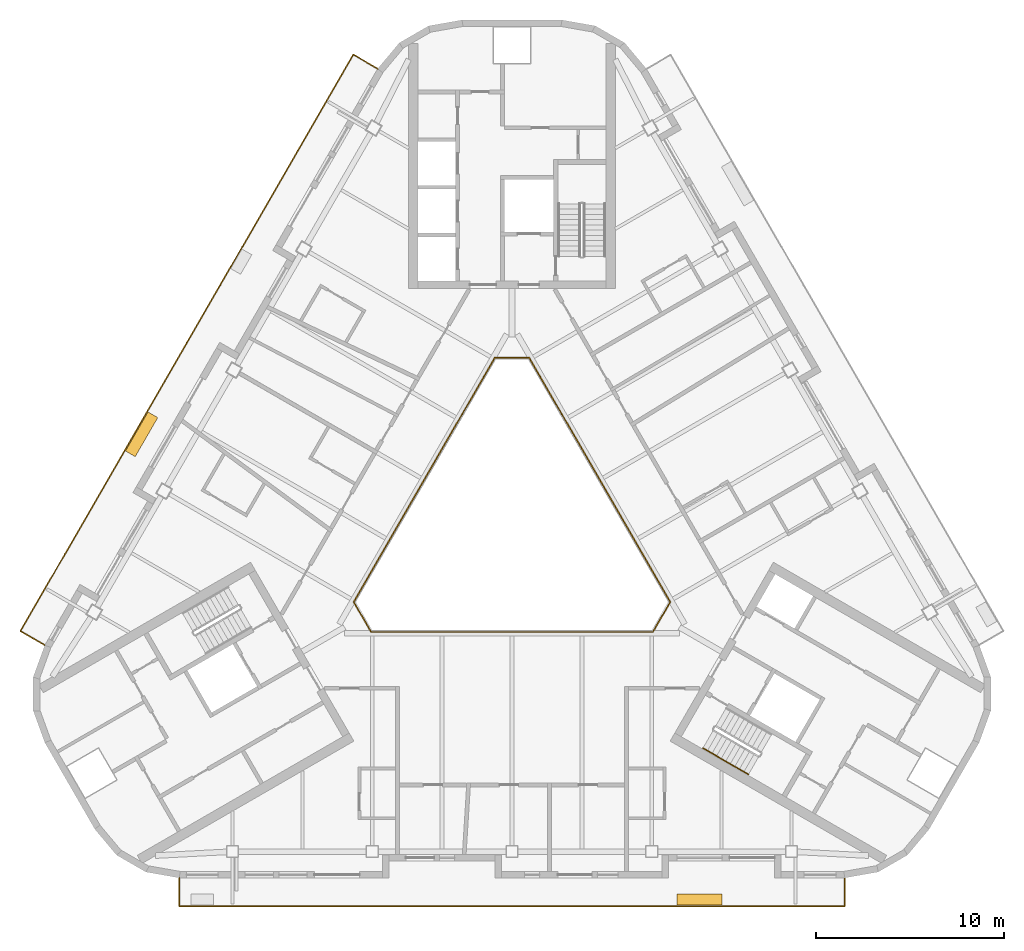
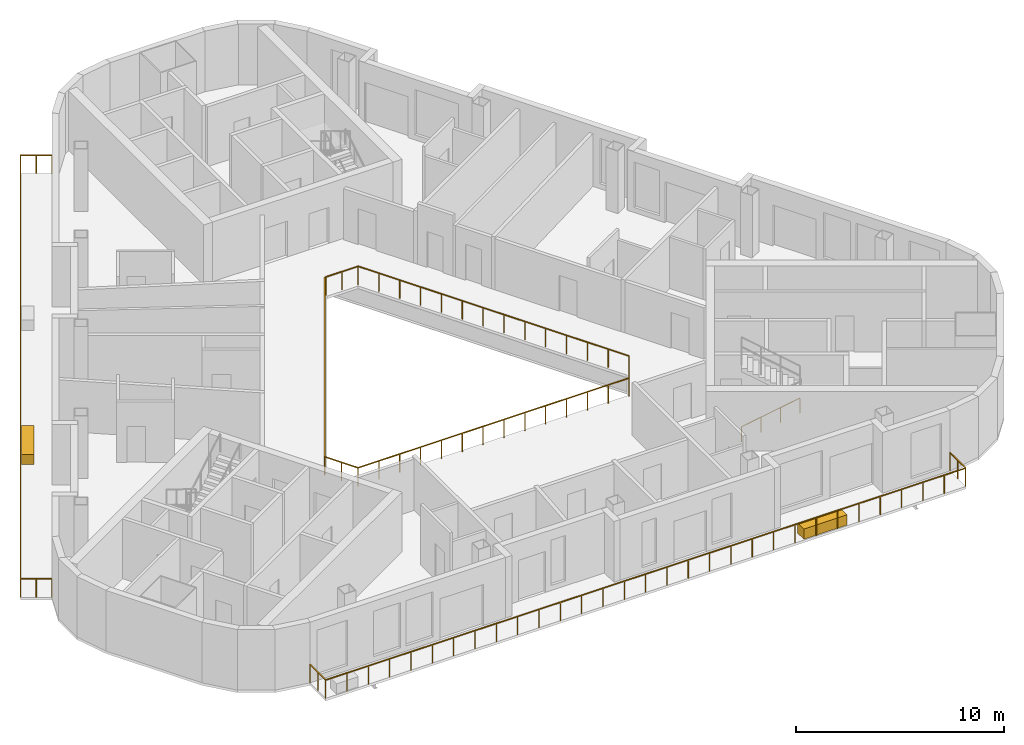
# One storey, part 10 of 13: 5 railings, 2 coverings.
"""IFC4 building model written with IfcOpenShell, lengths in metres."""

import ifcopenshell
import ifcopenshell.guid

model = None  # the IFC model being written
_history = None  # IfcOwnerHistory: only IFC2X3 demands one
_inside = {}  # id of a spatial element -> (the spatial element, [elements in it])
_under = {}  # id of a project, library or spatial element -> (it, [spatial elements below it])
_declared = {}  # id of a project -> (the project, [libraries it declares])
_typed = {}  # id of a type object -> (the type object, [elements of that type])
_made_of = {}  # id of a material, layer set ... -> (it, [elements and type objects made of it])


def new_model(schema):
    """Start an empty IFC model of exactly this schema.

    Asked for "IFC4X3", IfcOpenShell would pick the latest addendum, in which some entities
    have other attributes; the version numbers below select the first issue.
    IFC2X3 requires an IfcOwnerHistory on every rooted entity: one is made here for all.
    """
    global model, _history
    if schema == "IFC4X3":
        model = ifcopenshell.file(schema_version=(4, 3, 0, 0))
    else:
        model = ifcopenshell.file(schema=schema)
    _inside.clear()
    _under.clear()
    _declared.clear()
    _typed.clear()
    _made_of.clear()
    _history = None
    if model.schema == "IFC2X3":
        org = make("IfcOrganization", Name="unknown")
        user = make(
            "IfcPersonAndOrganization",
            ThePerson=make("IfcPerson", FamilyName="unknown"),
            TheOrganization=org,
        )
        app = make(
            "IfcApplication",
            ApplicationDeveloper=org,
            Version="unknown",
            ApplicationFullName="unknown",
            ApplicationIdentifier="unknown",
        )
        _history = make(
            "IfcOwnerHistory",
            OwningUser=user,
            OwningApplication=app,
            ChangeAction="ADDED",
            CreationDate=0,
        )
    return model


def make(cls, **values):
    """One entity of the class cls with the attributes given. An attribute that is None is left unset."""
    return model.create_entity(
        cls, **{name: value for name, value in values.items() if value is not None}
    )


def rooted(cls, **values):
    """An entity with a GlobalId (a new one), such as an element, a storey or a relation."""
    return make(cls, GlobalId=ifcopenshell.guid.new(), OwnerHistory=_history, **values)


def si_unit(unit_type, name, prefix=None):
    """IfcSIUnit, for example si_unit("LENGTHUNIT", "METRE", prefix="MILLI")."""
    return make("IfcSIUnit", UnitType=unit_type, Prefix=prefix, Name=name)


def assignment(units):
    """IfcUnitAssignment: the units of a project."""
    return None if units is None else make("IfcUnitAssignment", Units=units)


def point(xyz):
    """IfcCartesianPoint."""
    return None if xyz is None else make("IfcCartesianPoint", Coordinates=xyz)


def direction(xyz):
    """IfcDirection."""
    return None if xyz is None else make("IfcDirection", DirectionRatios=xyz)


def frame(location, z_axis=None, x_axis=None):
    """IfcAxis2Placement3D, a coordinate frame: its origin and axes. An axis left out is left unset."""
    return make(
        "IfcAxis2Placement3D",
        Location=point(location),
        Axis=direction(z_axis),
        RefDirection=direction(x_axis),
    )


def frame_2d(location, x_axis=None):
    """IfcAxis2Placement2D, a coordinate frame in the plane: its origin and x axis."""
    return make(
        "IfcAxis2Placement2D", Location=point(location), RefDirection=direction(x_axis)
    )


def origin():
    """The frame at (0, 0, 0) with its axes left unset."""
    return frame((0.0, 0.0, 0.0))


def origin_2d():
    """The frame at (0, 0) in the plane with its x axis left unset."""
    return frame_2d((0.0, 0.0))


def place(relative_to, where):
    """IfcLocalPlacement: puts the frame where relative to a parent placement (None: the world)."""
    return make(
        "IfcLocalPlacement", PlacementRelTo=relative_to, RelativePlacement=where
    )


def context(
    kind, dimensions, precision=None, world=None, true_north=None, identifier=None
):
    """IfcGeometricRepresentationContext, for example the 3D "Model" context."""
    return make(
        "IfcGeometricRepresentationContext",
        ContextIdentifier=identifier,
        ContextType=kind,
        CoordinateSpaceDimension=dimensions,
        Precision=precision,
        WorldCoordinateSystem=world,
        TrueNorth=true_north,
    )


def subcontext(parent, identifier, kind, view, scale=None):
    """IfcGeometricRepresentationSubContext, for example "Body" below "Model"."""
    return make(
        "IfcGeometricRepresentationSubContext",
        ContextIdentifier=identifier,
        ContextType=kind,
        ParentContext=parent,
        TargetScale=scale,
        TargetView=view,
    )


def project(units=None, contexts=None):
    """IfcProject with its units and contexts."""
    return rooted(
        "IfcProject",
        Name="project",
        RepresentationContexts=contexts,
        UnitsInContext=assignment(units),
    )


def spatial(cls, under=None, at=None, **own):
    """A site, building, storey or space (cls), placed at a placement, below another one or the project."""
    s = rooted(cls, ObjectPlacement=at, **own)
    if under is not None:
        _under.setdefault(under.id(), (under, []))[1].append(s)
    return s


def profile(cls, at=None, kind="AREA", **sizes):
    """A parametric profile (cls). Its sizes go by their IFC names, for example OverallWidth=200.0."""
    return make(cls, ProfileType=kind, Position=at, **sizes)


def rectangle(**sizes):
    """IfcRectangleProfileDef."""
    return profile("IfcRectangleProfileDef", **sizes)


def circle(**sizes):
    """IfcCircleProfileDef."""
    return profile("IfcCircleProfileDef", **sizes)


def extrude(swept, where, along, depth):
    """IfcExtrudedAreaSolid: the profile swept, set in the frame where, extruded along a direction by depth."""
    return make(
        "IfcExtrudedAreaSolid",
        SweptArea=swept,
        Position=where,
        ExtrudedDirection=direction(along),
        Depth=depth,
    )


def shape(context_of_items, identifier, shape_type, items):
    """IfcShapeRepresentation: the items that make up one representation, for example the "Body"."""
    return make(
        "IfcShapeRepresentation",
        ContextOfItems=context_of_items,
        RepresentationIdentifier=identifier,
        RepresentationType=shape_type,
        Items=items,
    )


def material(Name=None, Category=None):
    """IfcMaterial."""
    return make("IfcMaterial", Name=Name, Category=Category)


def made_of(thing, what):
    """Note that an element or type object is made of a material, layer set ...; save() writes the relation."""
    if what is not None:
        _made_of.setdefault(what.id(), (what, []))[1].append(thing)
    return thing


def type_object(cls, material=None, **own):
    """A type object (cls), such as IfcWallType, which elements share."""
    return made_of(rooted(cls, **own), material)


def element(
    cls,
    number,
    at=None,
    inside=None,
    cuts=None,
    type_object=None,
    material=None,
    context=None,
    identifier="Body",
    shape_type=None,
    held_by="IfcProductDefinitionShape",
    body=None,
    shapes=None,
    **own,
):
    """One element of the class cls, such as IfcWall. Its Tag is "e" and its number.

    at: its placement. inside: the storey or other place that contains it. cuts: it is an
    opening in that element (IfcRelVoidsElement). A single representation is given by context,
    identifier, shape_type and body (its items); several are given by shapes. held_by: the class
    of the entity that holds the representations. save() writes the other relations.
    """
    e = rooted(cls, Tag="e%d" % number, ObjectPlacement=at, **own)
    if body is not None:
        shapes = [shape(context, identifier, shape_type, body)]
    if shapes is not None:
        e.Representation = make(held_by, Representations=shapes)
    if inside is not None:
        _inside.setdefault(inside.id(), (inside, []))[1].append(e)
    if cuts is not None:
        rooted(
            "IfcRelVoidsElement", RelatingBuildingElement=cuts, RelatedOpeningElement=e
        )
    if type_object is not None:
        _typed.setdefault(type_object.id(), (type_object, []))[1].append(e)
    return made_of(e, material)


def aggregate(whole, parts):
    """IfcRelAggregates: a whole, such as a stair, and the parts it consists of."""
    return rooted("IfcRelAggregates", RelatingObject=whole, RelatedObjects=parts)


def save(model, path):
    """Write the relations noted so far, then the file.

    IfcRelAggregates (storeys below a building ...), IfcRelContainedInSpatialStructure (elements
    in a storey), IfcRelDefinesByType, IfcRelAssociatesMaterial and IfcRelDeclares: one each for
    every whole, place, type object, material and project.
    """
    for whole, parts in _under.values():
        aggregate(whole, parts)
    for where, things in _inside.values():
        rooted(
            "IfcRelContainedInSpatialStructure",
            RelatedElements=things,
            RelatingStructure=where,
        )
    for kind, things in _typed.values():
        rooted("IfcRelDefinesByType", RelatedObjects=things, RelatingType=kind)
    for what, things in _made_of.values():
        rooted("IfcRelAssociatesMaterial", RelatedObjects=things, RelatingMaterial=what)
    for by, libraries in _declared.values():
        rooted("IfcRelDeclares", RelatingContext=by, RelatedDefinitions=libraries)
    model.write(path)


model = new_model("IFC4")

# Units and contexts
model_context = context("Model", 3, precision=1e-05, world=origin(), true_north=direction((0.0, 1.0)))
body_context = subcontext(model_context, "Body", "Model", "MODEL_VIEW")
ifc_project = project(units=[si_unit("LENGTHUNIT", "METRE"), si_unit("AREAUNIT", "SQUARE_METRE"), si_unit("VOLUMEUNIT", "CUBIC_METRE"), si_unit("PLANEANGLEUNIT", "RADIAN"), si_unit("MASSUNIT", "GRAM", prefix="KILO")], contexts=[model_context])

# Site, building, storey
site_placement = place(None, origin())
site = spatial("IfcSite", under=ifc_project, at=site_placement, CompositionType="ELEMENT")
building_placement = place(site_placement, origin())
building = spatial("IfcBuilding", under=site, at=building_placement, Name="Apuvela Tower Hotel", CompositionType="ELEMENT")
storey_placement = place(building_placement, frame((0.0, 0.0, 272.60009765625)))
storey = spatial("IfcBuildingStorey", under=building, at=storey_placement, Name="L67", CompositionType="ELEMENT", Elevation=272.60009765625)

# Railings
ifc_material_1 = material(Name="Stainless steel 316 handrail", Category="steel")
railing_type_1 = type_object("IfcRailingType", Name="COR-HANDRAIL-900", PredefinedType="HANDRAIL", material=ifc_material_1)
railing_1_placement = place(storey_placement, frame((10.1689453125, -11.5869140625, 0.16796875)))
element("IfcRailing", 1, at=railing_1_placement, inside=storey, type_object=railing_type_1, Name="L67 ST3 stair handrail 1", PredefinedType="HANDRAIL", context=body_context, shape_type="SweptSolid", body=[
    extrude(circle(Radius=0.02392578125, at=origin_2d()), frame((0.0, 0.0, 0.8759765625), z_axis=(0.742390482028, -0.42860119049, 0.514934356695), x_axis=(0.49998411664, 0.866034573852, 0.0)), (0.0, 0.0, 1.0), 3.26611328125),
    extrude(rectangle(XDim=0.0419921875, YDim=0.0419921875, at=origin_2d()), origin(), (0.0, 0.0, 1.0), 0.851806640625),
    extrude(rectangle(XDim=0.0419921875, YDim=0.0419921875, at=origin_2d()), frame((0.808349609375, -0.466552734375, 0.560546875)), (0.0, 0.0, 1.0), 0.851806640625),
    extrude(rectangle(XDim=0.0419921875, YDim=0.0419921875, at=origin_2d()), frame((1.616455078125, -0.933349609375, 1.121337890625)), (0.0, 0.0, 1.0), 0.851806640625),
    extrude(rectangle(XDim=0.0419921875, YDim=0.0419921875, at=origin_2d()), frame((2.4248046875, -1.39990234375, 1.681884765625)), (0.0, 0.0, 1.0), 0.851806640625),
])
ifc_material_2 = material(Name="Stainless steel 316 rail with laminated glass infill", Category="steel")
railing_type_2 = type_object("IfcRailingType", Name="ENV-GUARD-1100", PredefinedType="GUARDRAIL", material=ifc_material_2)
railing_2_placement = place(storey_placement, frame((-17.728759765625, -18.495849609375, 0.0)))
element("IfcRailing", 2, at=railing_2_placement, inside=storey, type_object=railing_type_2, Name="Balcony guard S L67", PredefinedType="GUARDRAIL", context=body_context, shape_type="SweptSolid", body=[
    extrude(rectangle(XDim=0.050048828125, YDim=0.050048828125, at=origin_2d()), frame((0.0, 0.0, 1.0751953125), z_axis=(0.0, -1.0, 0.0), x_axis=(1.0, 0.0, 0.0)), (0.0, 0.0, 1.0), 1.5),
    extrude(rectangle(XDim=0.050048828125, YDim=0.050048828125, at=origin_2d()), frame((0.0, -1.5, 1.0751953125), z_axis=(1.0, 0.0, 0.0), x_axis=(0.0, 1.0, 0.0)), (0.0, 0.0, 1.0), 35.45751953125),
    extrude(rectangle(XDim=0.050048828125, YDim=0.050048828125, at=origin_2d()), frame((35.45751953125, -1.5, 1.0751953125), z_axis=(0.0, 1.0, 0.0), x_axis=(-1.0, 0.0, 0.0)), (0.0, 0.0, 1.0), 1.5),
    extrude(rectangle(XDim=0.0400390625, YDim=0.0400390625, at=origin_2d()), origin(), (0.0, 0.0, 1.0), 1.050048828125),
    extrude(rectangle(XDim=0.0400390625, YDim=0.0400390625, at=origin_2d()), frame((0.0, -0.75, 0.0)), (0.0, 0.0, 1.0), 1.050048828125),
    extrude(rectangle(XDim=0.0400390625, YDim=0.0400390625, at=origin_2d()), frame((0.0, -1.5, 0.0)), (0.0, 0.0, 1.0), 1.050048828125),
    extrude(rectangle(XDim=0.0400390625, YDim=0.0400390625, at=origin_2d()), frame((1.181884765625, -1.5, 0.0)), (0.0, 0.0, 1.0), 1.050048828125),
    extrude(rectangle(XDim=0.0400390625, YDim=0.0400390625, at=origin_2d()), frame((2.36376953125, -1.5, 0.0)), (0.0, 0.0, 1.0), 1.050048828125),
    extrude(rectangle(XDim=0.0400390625, YDim=0.0400390625, at=origin_2d()), frame((3.545654296875, -1.5, 0.0)), (0.0, 0.0, 1.0), 1.050048828125),
    extrude(rectangle(XDim=0.0400390625, YDim=0.0400390625, at=origin_2d()), frame((4.727783203125, -1.5, 0.0)), (0.0, 0.0, 1.0), 1.050048828125),
    extrude(rectangle(XDim=0.0400390625, YDim=0.0400390625, at=origin_2d()), frame((5.90966796875, -1.5, 0.0)), (0.0, 0.0, 1.0), 1.050048828125),
    extrude(rectangle(XDim=0.0400390625, YDim=0.0400390625, at=origin_2d()), frame((7.091552734375, -1.5, 0.0)), (0.0, 0.0, 1.0), 1.050048828125),
    extrude(rectangle(XDim=0.0400390625, YDim=0.0400390625, at=origin_2d()), frame((8.2734375, -1.5, 0.0)), (0.0, 0.0, 1.0), 1.050048828125),
    extrude(rectangle(XDim=0.0400390625, YDim=0.0400390625, at=origin_2d()), frame((9.455322265625, -1.5, 0.0)), (0.0, 0.0, 1.0), 1.050048828125),
    extrude(rectangle(XDim=0.0400390625, YDim=0.0400390625, at=origin_2d()), frame((10.63720703125, -1.5, 0.0)), (0.0, 0.0, 1.0), 1.050048828125),
    extrude(rectangle(XDim=0.0400390625, YDim=0.0400390625, at=origin_2d()), frame((11.819091796875, -1.5, 0.0)), (0.0, 0.0, 1.0), 1.050048828125),
    extrude(rectangle(XDim=0.0400390625, YDim=0.0400390625, at=origin_2d()), frame((13.0009765625, -1.5, 0.0)), (0.0, 0.0, 1.0), 1.050048828125),
    extrude(rectangle(XDim=0.0400390625, YDim=0.0400390625, at=origin_2d()), frame((14.18310546875, -1.5, 0.0)), (0.0, 0.0, 1.0), 1.050048828125),
    extrude(rectangle(XDim=0.0400390625, YDim=0.0400390625, at=origin_2d()), frame((15.364990234375, -1.5, 0.0)), (0.0, 0.0, 1.0), 1.050048828125),
    extrude(rectangle(XDim=0.0400390625, YDim=0.0400390625, at=origin_2d()), frame((16.546875, -1.5, 0.0)), (0.0, 0.0, 1.0), 1.050048828125),
    extrude(rectangle(XDim=0.0400390625, YDim=0.0400390625, at=origin_2d()), frame((17.728759765625, -1.5, 0.0)), (0.0, 0.0, 1.0), 1.050048828125),
    extrude(rectangle(XDim=0.0400390625, YDim=0.0400390625, at=origin_2d()), frame((18.91064453125, -1.5, 0.0)), (0.0, 0.0, 1.0), 1.050048828125),
    extrude(rectangle(XDim=0.0400390625, YDim=0.0400390625, at=origin_2d()), frame((20.092529296875, -1.5, 0.0)), (0.0, 0.0, 1.0), 1.050048828125),
    extrude(rectangle(XDim=0.0400390625, YDim=0.0400390625, at=origin_2d()), frame((21.2744140625, -1.5, 0.0)), (0.0, 0.0, 1.0), 1.050048828125),
    extrude(rectangle(XDim=0.0400390625, YDim=0.0400390625, at=origin_2d()), frame((22.45654296875, -1.5, 0.0)), (0.0, 0.0, 1.0), 1.050048828125),
    extrude(rectangle(XDim=0.0400390625, YDim=0.0400390625, at=origin_2d()), frame((23.638427734375, -1.5, 0.0)), (0.0, 0.0, 1.0), 1.050048828125),
    extrude(rectangle(XDim=0.0400390625, YDim=0.0400390625, at=origin_2d()), frame((24.8203125, -1.5, 0.0)), (0.0, 0.0, 1.0), 1.050048828125),
    extrude(rectangle(XDim=0.0400390625, YDim=0.0400390625, at=origin_2d()), frame((26.002197265625, -1.5, 0.0)), (0.0, 0.0, 1.0), 1.050048828125),
    extrude(rectangle(XDim=0.0400390625, YDim=0.0400390625, at=origin_2d()), frame((27.18408203125, -1.5, 0.0)), (0.0, 0.0, 1.0), 1.050048828125),
    extrude(rectangle(XDim=0.0400390625, YDim=0.0400390625, at=origin_2d()), frame((28.365966796875, -1.5, 0.0)), (0.0, 0.0, 1.0), 1.050048828125),
    extrude(rectangle(XDim=0.0400390625, YDim=0.0400390625, at=origin_2d()), frame((29.5478515625, -1.5, 0.0)), (0.0, 0.0, 1.0), 1.050048828125),
    extrude(rectangle(XDim=0.0400390625, YDim=0.0400390625, at=origin_2d()), frame((30.729736328125, -1.5, 0.0)), (0.0, 0.0, 1.0), 1.050048828125),
    extrude(rectangle(XDim=0.0400390625, YDim=0.0400390625, at=origin_2d()), frame((31.911865234375, -1.5, 0.0)), (0.0, 0.0, 1.0), 1.050048828125),
    extrude(rectangle(XDim=0.0400390625, YDim=0.0400390625, at=origin_2d()), frame((33.09375, -1.5, 0.0)), (0.0, 0.0, 1.0), 1.050048828125),
    extrude(rectangle(XDim=0.0400390625, YDim=0.0400390625, at=origin_2d()), frame((34.275634765625, -1.5, 0.0)), (0.0, 0.0, 1.0), 1.050048828125),
    extrude(rectangle(XDim=0.0400390625, YDim=0.0400390625, at=origin_2d()), frame((35.45751953125, -1.5, 0.0)), (0.0, 0.0, 1.0), 1.050048828125),
    extrude(rectangle(XDim=0.0400390625, YDim=0.0400390625, at=origin_2d()), frame((35.45751953125, -0.75, 0.0)), (0.0, 0.0, 1.0), 1.050048828125),
    extrude(rectangle(XDim=0.0400390625, YDim=0.0400390625, at=origin_2d()), frame((35.45751953125, 0.0, 0.0)), (0.0, 0.0, 1.0), 1.050048828125),
])
railing_3_placement = place(storey_placement, frame((-7.153564453125, 24.601318359375, 0.0)))
element("IfcRailing", 3, at=railing_3_placement, inside=storey, type_object=railing_type_2, Name="Balcony guard NW L67", PredefinedType="GUARDRAIL", context=body_context, shape_type="SweptSolid", body=[
    extrude(rectangle(XDim=0.050048828125, YDim=0.050048828125, at=origin_2d()), frame((0.0, 0.0, 1.0751953125), z_axis=(-0.86599040064, 0.500060622324, 0.0), x_axis=(-0.500060622324, -0.86599040064, 0.0)), (0.0, 0.0, 1.0), 1.499755859375),
    extrude(rectangle(XDim=0.050048828125, YDim=0.050048828125, at=origin_2d()), frame((-1.298828125, 0.75, 1.0751953125), z_axis=(-0.500000994306, -0.866024829721, 0.0), x_axis=(0.866024829721, -0.500000994306, 0.0)), (0.0, 0.0, 1.0), 35.45751953125),
    extrude(rectangle(XDim=0.050048828125, YDim=0.050048828125, at=origin_2d()), frame((-19.027587890625, -29.95703125, 1.0751953125), z_axis=(0.866031096941, -0.499990139034, 0.0), x_axis=(0.499990139034, 0.866031096941, 0.0)), (0.0, 0.0, 1.0), 1.5),
    extrude(rectangle(XDim=0.0400390625, YDim=0.0400390625, at=origin_2d()), origin(), (0.0, 0.0, 1.0), 1.050048828125),
    extrude(rectangle(XDim=0.0400390625, YDim=0.0400390625, at=origin_2d()), frame((-0.6494140625, 0.375, 0.0)), (0.0, 0.0, 1.0), 1.050048828125),
    extrude(rectangle(XDim=0.0400390625, YDim=0.0400390625, at=origin_2d()), frame((-1.298828125, 0.75, 0.0)), (0.0, 0.0, 1.0), 1.050048828125),
    extrude(rectangle(XDim=0.0400390625, YDim=0.0400390625, at=origin_2d()), frame((-1.889892578125, -0.273681640625, 0.0)), (0.0, 0.0, 1.0), 1.050048828125),
    extrude(rectangle(XDim=0.0400390625, YDim=0.0400390625, at=origin_2d()), frame((-2.480712890625, -1.297119140625, 0.0)), (0.0, 0.0, 1.0), 1.050048828125),
    extrude(rectangle(XDim=0.0400390625, YDim=0.0400390625, at=origin_2d()), frame((-3.07177734375, -2.32080078125, 0.0)), (0.0, 0.0, 1.0), 1.050048828125),
    extrude(rectangle(XDim=0.0400390625, YDim=0.0400390625, at=origin_2d()), frame((-3.66259765625, -3.34423828125, 0.0)), (0.0, 0.0, 1.0), 1.050048828125),
    extrude(rectangle(XDim=0.0400390625, YDim=0.0400390625, at=origin_2d()), frame((-4.253662109375, -4.367919921875, 0.0)), (0.0, 0.0, 1.0), 1.050048828125),
    extrude(rectangle(XDim=0.0400390625, YDim=0.0400390625, at=origin_2d()), frame((-4.844482421875, -5.391357421875, 0.0)), (0.0, 0.0, 1.0), 1.050048828125),
    extrude(rectangle(XDim=0.0400390625, YDim=0.0400390625, at=origin_2d()), frame((-5.435546875, -6.4150390625, 0.0)), (0.0, 0.0, 1.0), 1.050048828125),
    extrude(rectangle(XDim=0.0400390625, YDim=0.0400390625, at=origin_2d()), frame((-6.026611328125, -7.4384765625, 0.0)), (0.0, 0.0, 1.0), 1.050048828125),
    extrude(rectangle(XDim=0.0400390625, YDim=0.0400390625, at=origin_2d()), frame((-6.617431640625, -8.462158203125, 0.0)), (0.0, 0.0, 1.0), 1.050048828125),
    extrude(rectangle(XDim=0.0400390625, YDim=0.0400390625, at=origin_2d()), frame((-7.20849609375, -9.485595703125, 0.0)), (0.0, 0.0, 1.0), 1.050048828125),
    extrude(rectangle(XDim=0.0400390625, YDim=0.0400390625, at=origin_2d()), frame((-7.79931640625, -10.50927734375, 0.0)), (0.0, 0.0, 1.0), 1.050048828125),
    extrude(rectangle(XDim=0.0400390625, YDim=0.0400390625, at=origin_2d()), frame((-8.390380859375, -11.53271484375, 0.0)), (0.0, 0.0, 1.0), 1.050048828125),
    extrude(rectangle(XDim=0.0400390625, YDim=0.0400390625, at=origin_2d()), frame((-8.981201171875, -12.556396484375, 0.0)), (0.0, 0.0, 1.0), 1.050048828125),
    extrude(rectangle(XDim=0.0400390625, YDim=0.0400390625, at=origin_2d()), frame((-9.572265625, -13.579833984375, 0.0)), (0.0, 0.0, 1.0), 1.050048828125),
    extrude(rectangle(XDim=0.0400390625, YDim=0.0400390625, at=origin_2d()), frame((-10.1630859375, -14.603515625, 0.0)), (0.0, 0.0, 1.0), 1.050048828125),
    extrude(rectangle(XDim=0.0400390625, YDim=0.0400390625, at=origin_2d()), frame((-10.754150390625, -15.627197265625, 0.0)), (0.0, 0.0, 1.0), 1.050048828125),
    extrude(rectangle(XDim=0.0400390625, YDim=0.0400390625, at=origin_2d()), frame((-11.34521484375, -16.650634765625, 0.0)), (0.0, 0.0, 1.0), 1.050048828125),
    extrude(rectangle(XDim=0.0400390625, YDim=0.0400390625, at=origin_2d()), frame((-11.93603515625, -17.67431640625, 0.0)), (0.0, 0.0, 1.0), 1.050048828125),
    extrude(rectangle(XDim=0.0400390625, YDim=0.0400390625, at=origin_2d()), frame((-12.527099609375, -18.69775390625, 0.0)), (0.0, 0.0, 1.0), 1.050048828125),
    extrude(rectangle(XDim=0.0400390625, YDim=0.0400390625, at=origin_2d()), frame((-13.117919921875, -19.721435546875, 0.0)), (0.0, 0.0, 1.0), 1.050048828125),
    extrude(rectangle(XDim=0.0400390625, YDim=0.0400390625, at=origin_2d()), frame((-13.708984375, -20.744873046875, 0.0)), (0.0, 0.0, 1.0), 1.050048828125),
    extrude(rectangle(XDim=0.0400390625, YDim=0.0400390625, at=origin_2d()), frame((-14.2998046875, -21.7685546875, 0.0)), (0.0, 0.0, 1.0), 1.050048828125),
    extrude(rectangle(XDim=0.0400390625, YDim=0.0400390625, at=origin_2d()), frame((-14.890869140625, -22.7919921875, 0.0)), (0.0, 0.0, 1.0), 1.050048828125),
    extrude(rectangle(XDim=0.0400390625, YDim=0.0400390625, at=origin_2d()), frame((-15.48193359375, -23.815673828125, 0.0)), (0.0, 0.0, 1.0), 1.050048828125),
    extrude(rectangle(XDim=0.0400390625, YDim=0.0400390625, at=origin_2d()), frame((-16.07275390625, -24.839111328125, 0.0)), (0.0, 0.0, 1.0), 1.050048828125),
    extrude(rectangle(XDim=0.0400390625, YDim=0.0400390625, at=origin_2d()), frame((-16.663818359375, -25.86279296875, 0.0)), (0.0, 0.0, 1.0), 1.050048828125),
    extrude(rectangle(XDim=0.0400390625, YDim=0.0400390625, at=origin_2d()), frame((-17.254638671875, -26.88623046875, 0.0)), (0.0, 0.0, 1.0), 1.050048828125),
    extrude(rectangle(XDim=0.0400390625, YDim=0.0400390625, at=origin_2d()), frame((-17.845703125, -27.909912109375, 0.0)), (0.0, 0.0, 1.0), 1.050048828125),
    extrude(rectangle(XDim=0.0400390625, YDim=0.0400390625, at=origin_2d()), frame((-18.4365234375, -28.933349609375, 0.0)), (0.0, 0.0, 1.0), 1.050048828125),
    extrude(rectangle(XDim=0.0400390625, YDim=0.0400390625, at=origin_2d()), frame((-19.027587890625, -29.95703125, 0.0)), (0.0, 0.0, 1.0), 1.050048828125),
    extrude(rectangle(XDim=0.0400390625, YDim=0.0400390625, at=origin_2d()), frame((-18.3779296875, -30.33203125, 0.0)), (0.0, 0.0, 1.0), 1.050048828125),
    extrude(rectangle(XDim=0.0400390625, YDim=0.0400390625, at=origin_2d()), frame((-17.728515625, -30.70703125, 0.0)), (0.0, 0.0, 1.0), 1.050048828125),
])
railing_4_placement = place(storey_placement, frame((-0.923828125, 9.199951171875, 0.0)))
element("IfcRailing", 4, at=railing_4_placement, inside=storey, type_object=railing_type_2, Name="Atrium void guard A L67", PredefinedType="GUARDRAIL", context=body_context, shape_type="SweptSolid", body=[
    extrude(rectangle(XDim=0.050048828125, YDim=0.050048828125, at=origin_2d()), frame((0.0, 0.0, 1.0751953125), z_axis=(-0.499990886379, -0.866030665472, 0.0), x_axis=(0.866030665472, -0.499990886379, 0.0)), (0.0, 0.0, 1.0), 15.010986328125),
    extrude(rectangle(XDim=0.050048828125, YDim=0.050048828125, at=origin_2d()), frame((-7.50537109375, -13.0, 1.0751953125), z_axis=(0.499962699187, -0.866046938348, 0.0), x_axis=(0.866046938348, 0.499962699187, 0.0)), (0.0, 0.0, 1.0), 1.847412109375),
    extrude(rectangle(XDim=0.050048828125, YDim=0.050048828125, at=origin_2d()), frame((-6.581787109375, -14.599853515625, 1.0751953125), z_axis=(1.0, 0.0, 0.0), x_axis=(0.0, 1.0, 0.0)), (0.0, 0.0, 1.0), 15.01123046875),
    extrude(rectangle(XDim=0.0400390625, YDim=0.0400390625, at=origin_2d()), origin(), (0.0, 0.0, 1.0), 1.050048828125),
    extrude(rectangle(XDim=0.0400390625, YDim=0.0400390625, at=origin_2d()), frame((-0.577392578125, -1.0, 0.0)), (0.0, 0.0, 1.0), 1.050048828125),
    extrude(rectangle(XDim=0.0400390625, YDim=0.0400390625, at=origin_2d()), frame((-1.15478515625, -2.0, 0.0)), (0.0, 0.0, 1.0), 1.050048828125),
    extrude(rectangle(XDim=0.0400390625, YDim=0.0400390625, at=origin_2d()), frame((-1.73193359375, -3.0, 0.0)), (0.0, 0.0, 1.0), 1.050048828125),
    extrude(rectangle(XDim=0.0400390625, YDim=0.0400390625, at=origin_2d()), frame((-2.309326171875, -4.0, 0.0)), (0.0, 0.0, 1.0), 1.050048828125),
    extrude(rectangle(XDim=0.0400390625, YDim=0.0400390625, at=origin_2d()), frame((-2.88671875, -5.0, 0.0)), (0.0, 0.0, 1.0), 1.050048828125),
    extrude(rectangle(XDim=0.0400390625, YDim=0.0400390625, at=origin_2d()), frame((-3.464111328125, -6.0, 0.0)), (0.0, 0.0, 1.0), 1.050048828125),
    extrude(rectangle(XDim=0.0400390625, YDim=0.0400390625, at=origin_2d()), frame((-4.041259765625, -7.0, 0.0)), (0.0, 0.0, 1.0), 1.050048828125),
    extrude(rectangle(XDim=0.0400390625, YDim=0.0400390625, at=origin_2d()), frame((-4.61865234375, -8.0, 0.0)), (0.0, 0.0, 1.0), 1.050048828125),
    extrude(rectangle(XDim=0.0400390625, YDim=0.0400390625, at=origin_2d()), frame((-5.196044921875, -9.0, 0.0)), (0.0, 0.0, 1.0), 1.050048828125),
    extrude(rectangle(XDim=0.0400390625, YDim=0.0400390625, at=origin_2d()), frame((-5.7734375, -10.0, 0.0)), (0.0, 0.0, 1.0), 1.050048828125),
    extrude(rectangle(XDim=0.0400390625, YDim=0.0400390625, at=origin_2d()), frame((-6.3505859375, -11.0, 0.0)), (0.0, 0.0, 1.0), 1.050048828125),
    extrude(rectangle(XDim=0.0400390625, YDim=0.0400390625, at=origin_2d()), frame((-6.927978515625, -12.0, 0.0)), (0.0, 0.0, 1.0), 1.050048828125),
    extrude(rectangle(XDim=0.0400390625, YDim=0.0400390625, at=origin_2d()), frame((-7.50537109375, -13.0, 0.0)), (0.0, 0.0, 1.0), 1.050048828125),
    extrude(rectangle(XDim=0.0400390625, YDim=0.0400390625, at=origin_2d()), frame((-7.04345703125, -13.7998046875, 0.0)), (0.0, 0.0, 1.0), 1.050048828125),
    extrude(rectangle(XDim=0.0400390625, YDim=0.0400390625, at=origin_2d()), frame((-6.581787109375, -14.599853515625, 0.0)), (0.0, 0.0, 1.0), 1.050048828125),
    extrude(rectangle(XDim=0.0400390625, YDim=0.0400390625, at=origin_2d()), frame((-5.427001953125, -14.599853515625, 0.0)), (0.0, 0.0, 1.0), 1.050048828125),
    extrude(rectangle(XDim=0.0400390625, YDim=0.0400390625, at=origin_2d()), frame((-4.2724609375, -14.599853515625, 0.0)), (0.0, 0.0, 1.0), 1.050048828125),
    extrude(rectangle(XDim=0.0400390625, YDim=0.0400390625, at=origin_2d()), frame((-3.11767578125, -14.599853515625, 0.0)), (0.0, 0.0, 1.0), 1.050048828125),
    extrude(rectangle(XDim=0.0400390625, YDim=0.0400390625, at=origin_2d()), frame((-1.962890625, -14.599853515625, 0.0)), (0.0, 0.0, 1.0), 1.050048828125),
    extrude(rectangle(XDim=0.0400390625, YDim=0.0400390625, at=origin_2d()), frame((-0.808349609375, -14.599853515625, 0.0)), (0.0, 0.0, 1.0), 1.050048828125),
    extrude(rectangle(XDim=0.0400390625, YDim=0.0400390625, at=origin_2d()), frame((0.346435546875, -14.599853515625, 0.0)), (0.0, 0.0, 1.0), 1.050048828125),
    extrude(rectangle(XDim=0.0400390625, YDim=0.0400390625, at=origin_2d()), frame((1.501220703125, -14.599853515625, 0.0)), (0.0, 0.0, 1.0), 1.050048828125),
    extrude(rectangle(XDim=0.0400390625, YDim=0.0400390625, at=origin_2d()), frame((2.656005859375, -14.599853515625, 0.0)), (0.0, 0.0, 1.0), 1.050048828125),
    extrude(rectangle(XDim=0.0400390625, YDim=0.0400390625, at=origin_2d()), frame((3.810546875, -14.599853515625, 0.0)), (0.0, 0.0, 1.0), 1.050048828125),
    extrude(rectangle(XDim=0.0400390625, YDim=0.0400390625, at=origin_2d()), frame((4.96533203125, -14.599853515625, 0.0)), (0.0, 0.0, 1.0), 1.050048828125),
    extrude(rectangle(XDim=0.0400390625, YDim=0.0400390625, at=origin_2d()), frame((6.1201171875, -14.599853515625, 0.0)), (0.0, 0.0, 1.0), 1.050048828125),
    extrude(rectangle(XDim=0.0400390625, YDim=0.0400390625, at=origin_2d()), frame((7.274658203125, -14.599853515625, 0.0)), (0.0, 0.0, 1.0), 1.050048828125),
    extrude(rectangle(XDim=0.0400390625, YDim=0.0400390625, at=origin_2d()), frame((8.429443359375, -14.599853515625, 0.0)), (0.0, 0.0, 1.0), 1.050048828125),
])
railing_5_placement = place(storey_placement, frame((7.53564453125, -5.347900390625, 0.0)))
element("IfcRailing", 5, at=railing_5_placement, inside=storey, type_object=railing_type_2, Name="Atrium void guard B L67", PredefinedType="GUARDRAIL", context=body_context, shape_type="SweptSolid", body=[
    extrude(rectangle(XDim=0.050048828125, YDim=0.050048828125, at=origin_2d()), frame((0.0, 0.0, 1.0751953125), z_axis=(0.499958946799, 0.866049104564, 0.0), x_axis=(-0.866049104564, 0.499958946799, 0.0)), (0.0, 0.0, 1.0), 1.787353515625),
    extrude(rectangle(XDim=0.050048828125, YDim=0.050048828125, at=origin_2d()), frame((0.8935546875, 1.5478515625, 1.0751953125), z_axis=(-0.499990886379, 0.866030665472, 0.0), x_axis=(-0.866030665472, -0.499990886379, 0.0)), (0.0, 0.0, 1.0), 15.010986328125),
    extrude(rectangle(XDim=0.050048828125, YDim=0.050048828125, at=origin_2d()), frame((-6.61181640625, 14.5478515625, 1.0751953125), z_axis=(-1.0, 0.0, 0.0), x_axis=(0.0, -1.0, 0.0)), (0.0, 0.0, 1.0), 1.78759765625),
    extrude(rectangle(XDim=0.0400390625, YDim=0.0400390625, at=origin_2d()), origin(), (0.0, 0.0, 1.0), 1.050048828125),
    extrude(rectangle(XDim=0.0400390625, YDim=0.0400390625, at=origin_2d()), frame((0.44677734375, 0.77392578125, 0.0)), (0.0, 0.0, 1.0), 1.050048828125),
    extrude(rectangle(XDim=0.0400390625, YDim=0.0400390625, at=origin_2d()), frame((0.8935546875, 1.5478515625, 0.0)), (0.0, 0.0, 1.0), 1.050048828125),
    extrude(rectangle(XDim=0.0400390625, YDim=0.0400390625, at=origin_2d()), frame((0.316162109375, 2.5478515625, 0.0)), (0.0, 0.0, 1.0), 1.050048828125),
    extrude(rectangle(XDim=0.0400390625, YDim=0.0400390625, at=origin_2d()), frame((-0.26123046875, 3.5478515625, 0.0)), (0.0, 0.0, 1.0), 1.050048828125),
    extrude(rectangle(XDim=0.0400390625, YDim=0.0400390625, at=origin_2d()), frame((-0.83837890625, 4.5478515625, 0.0)), (0.0, 0.0, 1.0), 1.050048828125),
    extrude(rectangle(XDim=0.0400390625, YDim=0.0400390625, at=origin_2d()), frame((-1.415771484375, 5.5478515625, 0.0)), (0.0, 0.0, 1.0), 1.050048828125),
    extrude(rectangle(XDim=0.0400390625, YDim=0.0400390625, at=origin_2d()), frame((-1.9931640625, 6.5478515625, 0.0)), (0.0, 0.0, 1.0), 1.050048828125),
    extrude(rectangle(XDim=0.0400390625, YDim=0.0400390625, at=origin_2d()), frame((-2.570556640625, 7.5478515625, 0.0)), (0.0, 0.0, 1.0), 1.050048828125),
    extrude(rectangle(XDim=0.0400390625, YDim=0.0400390625, at=origin_2d()), frame((-3.147705078125, 8.5478515625, 0.0)), (0.0, 0.0, 1.0), 1.050048828125),
    extrude(rectangle(XDim=0.0400390625, YDim=0.0400390625, at=origin_2d()), frame((-3.72509765625, 9.5478515625, 0.0)), (0.0, 0.0, 1.0), 1.050048828125),
    extrude(rectangle(XDim=0.0400390625, YDim=0.0400390625, at=origin_2d()), frame((-4.302490234375, 10.5478515625, 0.0)), (0.0, 0.0, 1.0), 1.050048828125),
    extrude(rectangle(XDim=0.0400390625, YDim=0.0400390625, at=origin_2d()), frame((-4.8798828125, 11.5478515625, 0.0)), (0.0, 0.0, 1.0), 1.050048828125),
    extrude(rectangle(XDim=0.0400390625, YDim=0.0400390625, at=origin_2d()), frame((-5.45703125, 12.5478515625, 0.0)), (0.0, 0.0, 1.0), 1.050048828125),
    extrude(rectangle(XDim=0.0400390625, YDim=0.0400390625, at=origin_2d()), frame((-6.034423828125, 13.5478515625, 0.0)), (0.0, 0.0, 1.0), 1.050048828125),
    extrude(rectangle(XDim=0.0400390625, YDim=0.0400390625, at=origin_2d()), frame((-6.61181640625, 14.5478515625, 0.0)), (0.0, 0.0, 1.0), 1.050048828125),
    extrude(rectangle(XDim=0.0400390625, YDim=0.0400390625, at=origin_2d()), frame((-7.505615234375, 14.5478515625, 0.0)), (0.0, 0.0, 1.0), 1.050048828125),
    extrude(rectangle(XDim=0.0400390625, YDim=0.0400390625, at=origin_2d()), frame((-8.3994140625, 14.5478515625, 0.0)), (0.0, 0.0, 1.0), 1.050048828125),
])

# Coverings
ifc_material_3 = material(Name="Planting substrate and soil, planted")
covering_type = type_object("IfcCoveringType", Name="ENV-PLANTER-2400x600", PredefinedType="USERDEFINED", material=ifc_material_3)
for number, where, z_axis, x_axis, name in (
    (6, (9.99365234375, -19.645751953125, -0.000244140625), (0.0, 0.0, 1.0), (1.0, 0.0, 0.0), "Planter S2"),
    (7, (-19.72509765625, 5.126953125, -0.000244140625), (0.0, 0.0, 1.0), (-0.5, -0.866025403784, 0.0), "Planter NW6"),
):
    element("IfcCovering", number, at=place(storey_placement, frame(where, z_axis=z_axis, x_axis=x_axis)), inside=storey, type_object=covering_type, Name=name, ObjectType="PLANTER", PredefinedType="USERDEFINED", context=body_context, shape_type="SweptSolid", body=[
        extrude(rectangle(XDim=2.39990234375, YDim=0.60009765625, at=origin_2d()), origin(), (0.0, 0.0, 1.0), 0.60009765625),
    ])

save(model, "model.ifc")
